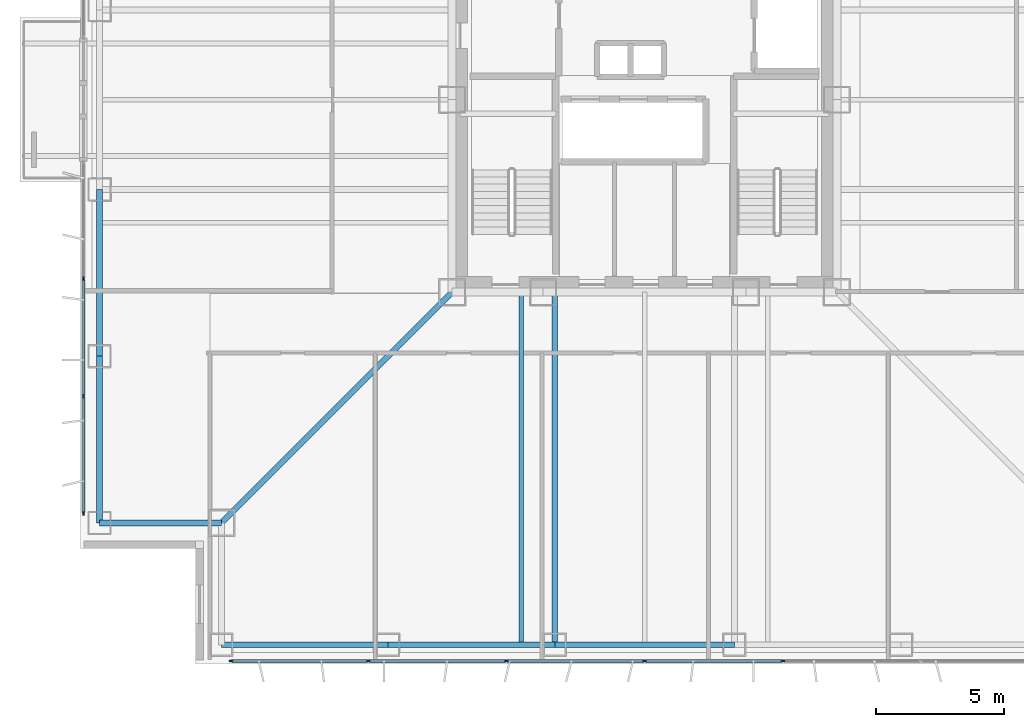
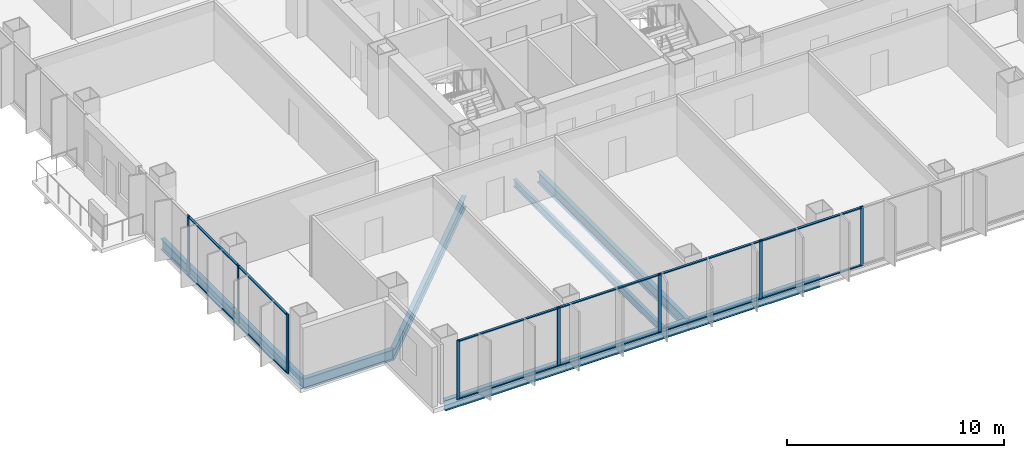
# One storey, part 2 of 15: 20 members, 9 beams, 2 elements without a shape of their own.
"""IFC4 building model written with IfcOpenShell, lengths in metres."""

from ifc_helpers import new_model, si_unit, direction, frame, origin, origin_2d, place, context, subcontext, project, spatial, rectangle, i_section, extrude, material, layer, layer_set, material_profile, profile_set, type_object, element, aggregate, save


model = new_model("IFC4")

# Units and contexts
model_context = context("Model", 3, precision=1e-05, world=origin(), true_north=direction((0.0, 1.0)))
body_context = subcontext(model_context, "Body", "Model", "MODEL_VIEW")
ifc_project = project(units=[si_unit("LENGTHUNIT", "METRE"), si_unit("AREAUNIT", "SQUARE_METRE"), si_unit("VOLUMEUNIT", "CUBIC_METRE"), si_unit("PLANEANGLEUNIT", "RADIAN"), si_unit("MASSUNIT", "GRAM", prefix="KILO")], contexts=[model_context])

# Site, building, storey
site_placement = place(None, origin())
site = spatial("IfcSite", under=ifc_project, at=site_placement, CompositionType="ELEMENT")
building_placement = place(site_placement, origin())
building = spatial("IfcBuilding", under=site, at=building_placement, Name="Trevonay Congress Spire", CompositionType="ELEMENT")
storey_placement = place(building_placement, frame((0.0, 0.0, 115.60009765625)))
storey = spatial("IfcBuildingStorey", under=building, at=storey_placement, Name="L29", CompositionType="ELEMENT", Elevation=115.60009765625)

# Beams
ifc_material_1 = material(Name="Steel ASTM A572 Grade 50", Category="steel")
ifc_material_profile_1 = material_profile(ifc_material_1, i_section(OverallWidth=0.22998046875, OverallDepth=0.616943359375, WebThickness=0.01318359375, FlangeThickness=0.022216796875, FilletRadius=0.01611328125, at=origin_2d()), Name="W610x140")
ifc_profile_set_1 = profile_set([ifc_material_profile_1], Name="Steel ASTM A572 Grade 50")
beam_type_1 = type_object("IfcBeamType", Name="BM-GIRD-W610X140", PredefinedType="BEAM", material=ifc_profile_set_1)
beam_1_placement = place(storey_placement, frame((-7.5, -7.5, -0.548583984375), z_axis=(-0.707106781187, -0.707106781187, 0.0), x_axis=(0.707106781187, -0.707106781187, 0.0)))
element("IfcBeam", 1, at=beam_1_placement, inside=storey, type_object=beam_type_1, Name="L29 structural beam BM-L29-CDSW", PredefinedType="BEAM", context=body_context, shape_type="SweptSolid", body=[
    extrude(i_section(OverallWidth=0.22998046875, OverallDepth=0.616943359375, WebThickness=0.01318359375, FlangeThickness=0.022216796875, FilletRadius=0.01611328125, at=origin_2d()), origin(), (0.0, 0.0, 1.0), 12.72802734375),
])
beam_2_placement = place(storey_placement, frame((-3.5, -7.5, -0.548583984375), z_axis=(0.0, -1.0, 0.0), x_axis=(1.0, 0.0, 0.0)))
element("IfcBeam", 2, at=beam_2_placement, inside=storey, type_object=beam_type_1, Name="L29 structural beam BM-L29-GS-M", PredefinedType="BEAM", context=body_context, shape_type="SweptSolid", body=[
    extrude(i_section(OverallWidth=0.22998046875, OverallDepth=0.616943359375, WebThickness=0.01318359375, FlangeThickness=0.022216796875, FilletRadius=0.01611328125, at=origin_2d()), origin(), (0.0, 0.0, 1.0), 13.75),
])
ifc_material_profile_2 = material_profile(ifc_material_1, i_section(OverallWidth=0.22802734375, OverallDepth=0.60791015625, WebThickness=0.01123046875, FlangeThickness=0.017333984375, FilletRadius=0.01611328125, at=origin_2d()), Name="W610x113")
ifc_profile_set_2 = profile_set([ifc_material_profile_2], Name="Steel ASTM A572 Grade 50")
beam_type_2 = type_object("IfcBeamType", Name="BM-RING-W610X113", PredefinedType="BEAM", material=ifc_profile_set_2)
for number, where, z_axis, x_axis, name in (
    (3, (-16.5, -21.25, -0.544189453125), (1.0, 0.0, 0.0), (0.0, 1.0, 0.0), "L29 structural beam BM-L29-PS1"),
    (4, (-21.25, -16.5, -0.544189453125), (0.0, 1.0, 0.0), (-1.0, 0.0, 0.0), "L29 structural beam BM-L29-PW1"),
    (5, (-10.0, -21.25, -0.544189453125), (1.0, 0.0, 0.0), (0.0, 1.0, 0.0), "L29 structural beam BM-L29-PS2"),
    (6, (-21.25, -10.0, -0.544189453125), (0.0, 1.0, 0.0), (-1.0, 0.0, 0.0), "L29 structural beam BM-L29-PW2"),
):
    element("IfcBeam", number, at=place(storey_placement, frame(where, z_axis=z_axis, x_axis=x_axis)), inside=storey, type_object=beam_type_2, Name=name, PredefinedType="BEAM", context=body_context, shape_type="SweptSolid", body=[
        extrude(i_section(OverallWidth=0.22802734375, OverallDepth=0.60791015625, WebThickness=0.01123046875, FlangeThickness=0.017333984375, FilletRadius=0.01611328125, at=origin_2d()), origin(), (0.0, 0.0, 1.0), 6.5),
    ])
beam_3_placement = place(storey_placement, frame((-3.5, -21.25, -0.544189453125), z_axis=(1.0, 0.0, 0.0), x_axis=(0.0, 1.0, 0.0)))
element("IfcBeam", 7, at=beam_3_placement, inside=storey, type_object=beam_type_2, Name="L29 structural beam BM-L29-PS3", PredefinedType="BEAM", context=body_context, shape_type="SweptSolid", body=[
    extrude(i_section(OverallWidth=0.22802734375, OverallDepth=0.60791015625, WebThickness=0.01123046875, FlangeThickness=0.017333984375, FilletRadius=0.01611328125, at=origin_2d()), origin(), (0.0, 0.0, 1.0), 7.0),
])
beam_4_placement = place(storey_placement, frame((-21.25, -16.5, -0.544189453125), z_axis=(1.0, 0.0, 0.0), x_axis=(0.0, 1.0, 0.0)))
element("IfcBeam", 8, at=beam_4_placement, inside=storey, type_object=beam_type_2, Name="L29 structural beam BM-L29-N2SW", PredefinedType="BEAM", context=body_context, shape_type="SweptSolid", body=[
    extrude(i_section(OverallWidth=0.22802734375, OverallDepth=0.60791015625, WebThickness=0.01123046875, FlangeThickness=0.017333984375, FilletRadius=0.01611328125, at=origin_2d()), origin(), (0.0, 0.0, 1.0), 4.75),
])

# Curtain wall, members
ifc_material_2 = material(Name="Pale Anodised Aluminium EN AW-6063-T6", Category="aluminium")
ifc_layer = layer(ifc_material_2, 0.175048828125, Name="Pale Anodised Aluminium EN AW-6063-T6")
ifc_layer_set = layer_set([ifc_layer], Name="Pale Anodised Aluminium EN AW-6063-T6")
curtain_wall_type = type_object("IfcCurtainWallType", Name="CW-SYS03-CONGRESS-PALE-METAL", PredefinedType="NOTDEFINED", material=ifc_layer_set)
curtain_wall_1_placement = place(storey_placement, origin())
curtain_wall_1 = element("IfcCurtainWall", 9, at=curtain_wall_1_placement, inside=storey, type_object=curtain_wall_type, Name="L29 S unitised curtain wall", PredefinedType="NOTDEFINED")
ifc_material_profile_3 = material_profile(ifc_material_2, rectangle(XDim=0.06005859375, YDim=0.159912109375, at=origin_2d()), Name="CW-MULLION-160-ALUMINIUM")
ifc_profile_set_3 = profile_set([ifc_material_profile_3], Name="Pale Anodised Aluminium EN AW-6063-T6")
member_type_1 = type_object("IfcMemberType", Name="CW-MULLION-160-ALUMINIUM", PredefinedType="MULLION", material=ifc_profile_set_3)
member_1_placement = place(storey_placement, frame((-16.1201171875, -21.8798828125, 0.0), z_axis=(0.0, 0.0, 1.0), x_axis=(0.0, 1.0, 0.0)))
member_1 = element("IfcMember", 10, at=member_1_placement, type_object=member_type_1, Name="CW03 mullion 1", PredefinedType="MULLION", context=body_context, shape_type="SweptSolid", body=[
    extrude(rectangle(XDim=0.06005859375, YDim=0.159912109375, at=origin_2d()), origin(), (0.0, 0.0, 1.0), 3.35986328125),
])
member_2_placement = place(storey_placement, frame((-10.7666015625, -21.8798828125, 0.0), z_axis=(0.0, 0.0, 1.0), x_axis=(0.0, 1.0, 0.0)))
member_2 = element("IfcMember", 11, at=member_2_placement, type_object=member_type_1, Name="CW03 mullion 2", PredefinedType="MULLION", context=body_context, shape_type="SweptSolid", body=[
    extrude(rectangle(XDim=0.06005859375, YDim=0.159912109375, at=origin_2d()), origin(), (0.0, 0.0, 1.0), 3.35986328125),
])
member_3_placement = place(storey_placement, frame((-5.38330078125, -21.8798828125, 0.0), z_axis=(0.0, 0.0, 1.0), x_axis=(0.0, 1.0, 0.0)))
member_3 = element("IfcMember", 12, at=member_3_placement, type_object=member_type_1, Name="CW03 mullion 3", PredefinedType="MULLION", context=body_context, shape_type="SweptSolid", body=[
    extrude(rectangle(XDim=0.06005859375, YDim=0.159912109375, at=origin_2d()), origin(), (0.0, 0.0, 1.0), 3.35986328125),
])
member_4_placement = place(storey_placement, frame((0.0, -21.8798828125, 0.0), z_axis=(0.0, 0.0, 1.0), x_axis=(0.0, 1.0, 0.0)))
member_4 = element("IfcMember", 13, at=member_4_placement, type_object=member_type_1, Name="CW03 mullion 4", PredefinedType="MULLION", context=body_context, shape_type="SweptSolid", body=[
    extrude(rectangle(XDim=0.06005859375, YDim=0.159912109375, at=origin_2d()), origin(), (0.0, 0.0, 1.0), 3.35986328125),
])
member_5_placement = place(storey_placement, frame((5.38330078125, -21.8798828125, 0.0), z_axis=(0.0, 0.0, 1.0), x_axis=(0.0, 1.0, 0.0)))
member_5 = element("IfcMember", 14, at=member_5_placement, type_object=member_type_1, Name="CW03 mullion 5", PredefinedType="MULLION", context=body_context, shape_type="SweptSolid", body=[
    extrude(rectangle(XDim=0.06005859375, YDim=0.159912109375, at=origin_2d()), origin(), (0.0, 0.0, 1.0), 3.35986328125),
])

curtain_wall_2_placement = place(storey_placement, origin())
curtain_wall_2 = element("IfcCurtainWall", 15, at=curtain_wall_2_placement, inside=storey, type_object=curtain_wall_type, Name="L29 WA unitised curtain wall", PredefinedType="NOTDEFINED")
member_6_placement = place(storey_placement, frame((-21.8798828125, -16.1201171875, 0.0), z_axis=(0.0, 0.0, 1.0), x_axis=(-1.0, 0.0, 0.0)))
member_6 = element("IfcMember", 16, at=member_6_placement, type_object=member_type_1, Name="CW03 mullion 1", PredefinedType="MULLION", context=body_context, shape_type="SweptSolid", body=[
    extrude(rectangle(XDim=0.06005859375, YDim=0.159912109375, at=origin_2d()), origin(), (0.0, 0.0, 1.0), 3.35986328125),
])
member_7_placement = place(storey_placement, frame((-21.8798828125, -11.566650390625, 0.0), z_axis=(0.0, 0.0, 1.0), x_axis=(-1.0, 0.0, 0.0)))
member_7 = element("IfcMember", 17, at=member_7_placement, type_object=member_type_1, Name="CW03 mullion 2", PredefinedType="MULLION", context=body_context, shape_type="SweptSolid", body=[
    extrude(rectangle(XDim=0.06005859375, YDim=0.159912109375, at=origin_2d()), origin(), (0.0, 0.0, 1.0), 3.35986328125),
])
member_8_placement = place(storey_placement, frame((-21.8798828125, -6.9833984375, 0.0), z_axis=(0.0, 0.0, 1.0), x_axis=(-1.0, 0.0, 0.0)))
member_8 = element("IfcMember", 18, at=member_8_placement, type_object=member_type_1, Name="CW03 mullion 3", PredefinedType="MULLION", context=body_context, shape_type="SweptSolid", body=[
    extrude(rectangle(XDim=0.06005859375, YDim=0.159912109375, at=origin_2d()), origin(), (0.0, 0.0, 1.0), 3.35986328125),
])

# Member
ifc_material_profile_4 = material_profile(ifc_material_2, rectangle(XDim=0.1201171875, YDim=0.06005859375, at=origin_2d()), Name="CW-TRANSOM-120-ALUMINIUM")
ifc_profile_set_4 = profile_set([ifc_material_profile_4], Name="Pale Anodised Aluminium EN AW-6063-T6")
member_type_2 = type_object("IfcMemberType", Name="CW-TRANSOM-120-ALUMINIUM", PredefinedType="USERDEFINED", material=ifc_profile_set_4)
member_9_placement = place(storey_placement, frame((-16.090087890625, -21.8798828125, 0.059814453125), z_axis=(1.0, 0.0, 0.0), x_axis=(0.0, 1.0, 0.0)))
member_9 = element("IfcMember", 19, at=member_9_placement, type_object=member_type_2, Name="CW03 transom 1.1", ObjectType="TRANSOM", PredefinedType="USERDEFINED", context=body_context, shape_type="SweptSolid", body=[
    extrude(rectangle(XDim=0.1201171875, YDim=0.06005859375, at=origin_2d()), origin(), (0.0, 0.0, 1.0), 5.29345703125),
])

member_10_placement = place(storey_placement, frame((-16.090087890625, -21.8798828125, 3.2998046875), z_axis=(1.0, 0.0, 0.0), x_axis=(0.0, 1.0, 0.0)))
member_10 = element("IfcMember", 20, at=member_10_placement, type_object=member_type_2, Name="CW03 transom 1.2", ObjectType="TRANSOM", PredefinedType="USERDEFINED", context=body_context, shape_type="SweptSolid", body=[
    extrude(rectangle(XDim=0.1201171875, YDim=0.06005859375, at=origin_2d()), origin(), (0.0, 0.0, 1.0), 5.29345703125),
])

member_11_placement = place(storey_placement, frame((-10.736572265625, -21.8798828125, 0.059814453125), z_axis=(1.0, 0.0, 0.0), x_axis=(0.0, 1.0, 0.0)))
member_11 = element("IfcMember", 21, at=member_11_placement, type_object=member_type_2, Name="CW03 transom 2.1", ObjectType="TRANSOM", PredefinedType="USERDEFINED", context=body_context, shape_type="SweptSolid", body=[
    extrude(rectangle(XDim=0.1201171875, YDim=0.06005859375, at=origin_2d()), origin(), (0.0, 0.0, 1.0), 5.3232421875),
])

member_12_placement = place(storey_placement, frame((-10.736572265625, -21.8798828125, 3.2998046875), z_axis=(1.0, 0.0, 0.0), x_axis=(0.0, 1.0, 0.0)))
member_12 = element("IfcMember", 22, at=member_12_placement, type_object=member_type_2, Name="CW03 transom 2.2", ObjectType="TRANSOM", PredefinedType="USERDEFINED", context=body_context, shape_type="SweptSolid", body=[
    extrude(rectangle(XDim=0.1201171875, YDim=0.06005859375, at=origin_2d()), origin(), (0.0, 0.0, 1.0), 5.3232421875),
])

member_13_placement = place(storey_placement, frame((-5.353271484375, -21.8798828125, 0.059814453125), z_axis=(1.0, 0.0, 0.0), x_axis=(0.0, 1.0, 0.0)))
member_13 = element("IfcMember", 23, at=member_13_placement, type_object=member_type_2, Name="CW03 transom 3.1", ObjectType="TRANSOM", PredefinedType="USERDEFINED", context=body_context, shape_type="SweptSolid", body=[
    extrude(rectangle(XDim=0.1201171875, YDim=0.06005859375, at=origin_2d()), origin(), (0.0, 0.0, 1.0), 5.3232421875),
])

member_14_placement = place(storey_placement, frame((-5.353271484375, -21.8798828125, 3.2998046875), z_axis=(1.0, 0.0, 0.0), x_axis=(0.0, 1.0, 0.0)))
member_14 = element("IfcMember", 24, at=member_14_placement, type_object=member_type_2, Name="CW03 transom 3.2", ObjectType="TRANSOM", PredefinedType="USERDEFINED", context=body_context, shape_type="SweptSolid", body=[
    extrude(rectangle(XDim=0.1201171875, YDim=0.06005859375, at=origin_2d()), origin(), (0.0, 0.0, 1.0), 5.3232421875),
])

member_15_placement = place(storey_placement, frame((0.030029296875, -21.8798828125, 0.059814453125), z_axis=(1.0, 0.0, 0.0), x_axis=(0.0, 1.0, 0.0)))
member_15 = element("IfcMember", 25, at=member_15_placement, type_object=member_type_2, Name="CW03 transom 4.1", ObjectType="TRANSOM", PredefinedType="USERDEFINED", context=body_context, shape_type="SweptSolid", body=[
    extrude(rectangle(XDim=0.1201171875, YDim=0.06005859375, at=origin_2d()), origin(), (0.0, 0.0, 1.0), 5.3232421875),
])

member_16_placement = place(storey_placement, frame((0.030029296875, -21.8798828125, 3.2998046875), z_axis=(1.0, 0.0, 0.0), x_axis=(0.0, 1.0, 0.0)))
member_16 = element("IfcMember", 26, at=member_16_placement, type_object=member_type_2, Name="CW03 transom 4.2", ObjectType="TRANSOM", PredefinedType="USERDEFINED", context=body_context, shape_type="SweptSolid", body=[
    extrude(rectangle(XDim=0.1201171875, YDim=0.06005859375, at=origin_2d()), origin(), (0.0, 0.0, 1.0), 5.3232421875),
])

aggregate(curtain_wall_1, [member_1, member_2, member_3, member_4, member_5, member_9, member_10, member_11, member_12, member_13, member_14, member_15, member_16])

member_17_placement = place(storey_placement, frame((-21.8798828125, -16.090087890625, 0.059814453125), z_axis=(0.0, 1.0, 0.0), x_axis=(-1.0, 0.0, 0.0)))
member_17 = element("IfcMember", 27, at=member_17_placement, type_object=member_type_2, Name="CW03 transom 1.1", ObjectType="TRANSOM", PredefinedType="USERDEFINED", context=body_context, shape_type="SweptSolid", body=[
    extrude(rectangle(XDim=0.1201171875, YDim=0.06005859375, at=origin_2d()), origin(), (0.0, 0.0, 1.0), 4.493408203125),
])

member_18_placement = place(storey_placement, frame((-21.8798828125, -16.090087890625, 3.2998046875), z_axis=(0.0, 1.0, 0.0), x_axis=(-1.0, 0.0, 0.0)))
member_18 = element("IfcMember", 28, at=member_18_placement, type_object=member_type_2, Name="CW03 transom 1.2", ObjectType="TRANSOM", PredefinedType="USERDEFINED", context=body_context, shape_type="SweptSolid", body=[
    extrude(rectangle(XDim=0.1201171875, YDim=0.06005859375, at=origin_2d()), origin(), (0.0, 0.0, 1.0), 4.493408203125),
])

member_19_placement = place(storey_placement, frame((-21.8798828125, -11.53662109375, 0.059814453125), z_axis=(0.0, 1.0, 0.0), x_axis=(-1.0, 0.0, 0.0)))
member_19 = element("IfcMember", 29, at=member_19_placement, type_object=member_type_2, Name="CW03 transom 2.1", ObjectType="TRANSOM", PredefinedType="USERDEFINED", context=body_context, shape_type="SweptSolid", body=[
    extrude(rectangle(XDim=0.1201171875, YDim=0.06005859375, at=origin_2d()), origin(), (0.0, 0.0, 1.0), 4.523193359375),
])

member_20_placement = place(storey_placement, frame((-21.8798828125, -11.53662109375, 3.2998046875), z_axis=(0.0, 1.0, 0.0), x_axis=(-1.0, 0.0, 0.0)))
member_20 = element("IfcMember", 30, at=member_20_placement, type_object=member_type_2, Name="CW03 transom 2.2", ObjectType="TRANSOM", PredefinedType="USERDEFINED", context=body_context, shape_type="SweptSolid", body=[
    extrude(rectangle(XDim=0.1201171875, YDim=0.06005859375, at=origin_2d()), origin(), (0.0, 0.0, 1.0), 4.523193359375),
])

aggregate(curtain_wall_2, [member_6, member_7, member_8, member_17, member_18, member_19, member_20])

# Beam
ifc_material_profile_5 = material_profile(ifc_material_1, i_section(OverallWidth=0.177978515625, OverallDepth=0.406982421875, WebThickness=0.0078125, FlangeThickness=0.0126953125, FilletRadius=0.012939453125, at=origin_2d()), Name="W410x60")
ifc_profile_set_5 = profile_set([ifc_material_profile_5], Name="Steel ASTM A572 Grade 50")
beam_type_3 = type_object("IfcBeamType", Name="JS-COMP-W410X60", PredefinedType="JOIST", material=ifc_profile_set_5)
beam_5_placement = place(storey_placement, frame((-4.800048828125, -21.25, -0.443603515625), z_axis=(0.0, 1.0, 0.0), x_axis=(-1.0, 0.0, 0.0)))
element("IfcBeam", 31, at=beam_5_placement, inside=storey, type_object=beam_type_3, Name="L29 structural beam JS-L29-NS-S1", PredefinedType="JOIST", context=body_context, shape_type="SweptSolid", body=[
    extrude(i_section(OverallWidth=0.177978515625, OverallDepth=0.406982421875, WebThickness=0.0078125, FlangeThickness=0.0126953125, FilletRadius=0.012939453125, at=origin_2d()), origin(), (0.0, 0.0, 1.0), 13.75),
])

save(model, "model.ifc")
